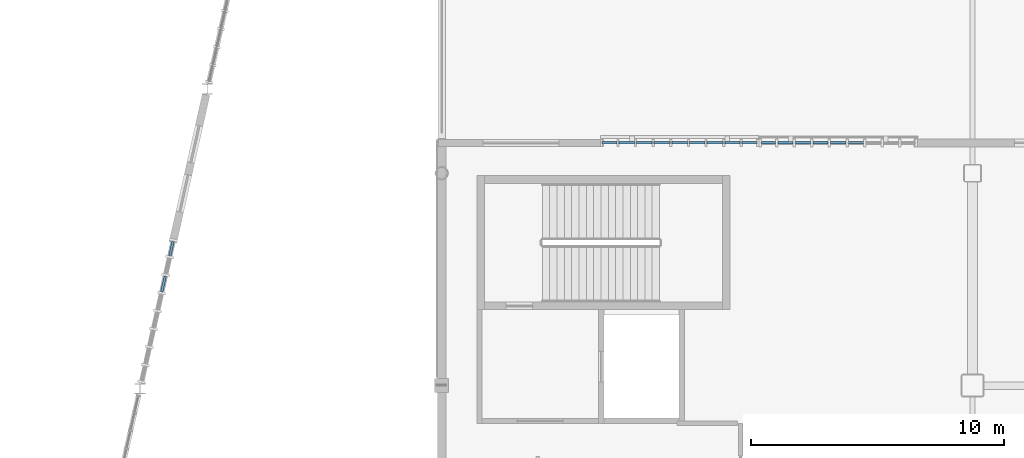
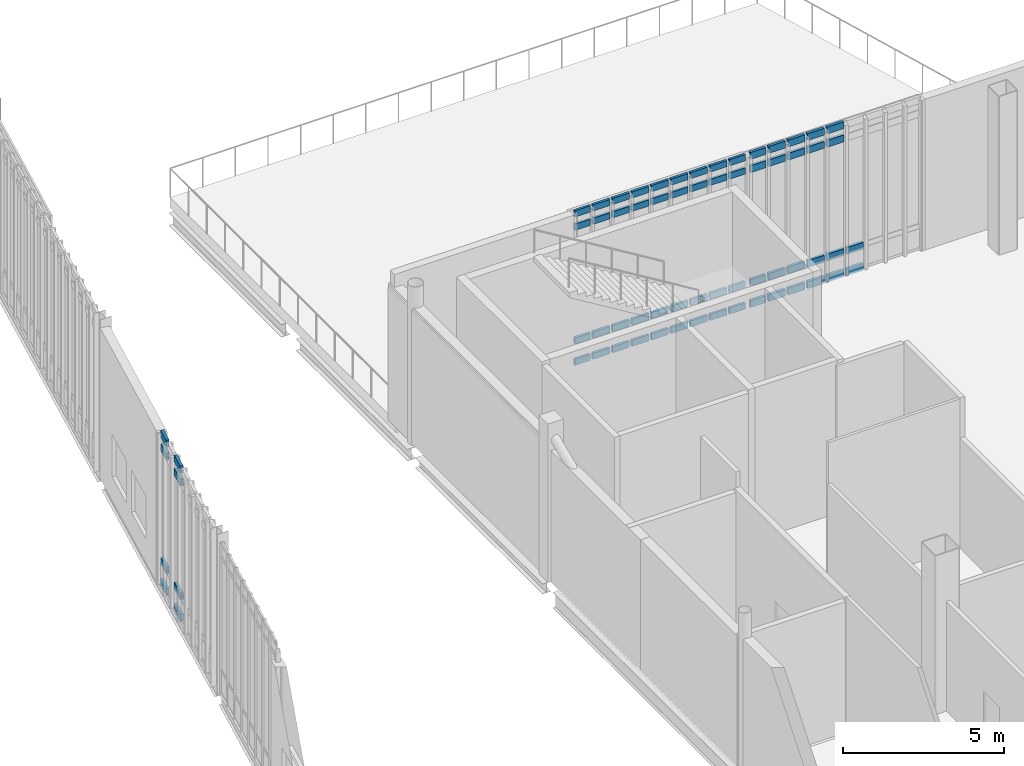
# One storey, part 58 of 135: 66 members, 3 elements without a shape of their own.
"""IFC4 building model written with IfcOpenShell, lengths in metres."""

from ifc_helpers import new_model, si_unit, direction, frame, origin, origin_2d, place, context, subcontext, project, spatial, rectangle, extrude, material, material_profile, profile_set, type_object, element, aggregate, save


model = new_model("IFC4")

# Units and contexts
model_context = context("Model", 3, precision=1e-05, world=origin(), true_north=direction((0.0, 1.0)))
body_context = subcontext(model_context, "Body", "Model", "MODEL_VIEW")
ifc_project = project(units=[si_unit("LENGTHUNIT", "METRE"), si_unit("AREAUNIT", "SQUARE_METRE"), si_unit("VOLUMEUNIT", "CUBIC_METRE"), si_unit("PLANEANGLEUNIT", "RADIAN"), si_unit("MASSUNIT", "GRAM", prefix="KILO")], contexts=[model_context])

# Site, building, storey
site_placement = place(None, origin())
site = spatial("IfcSite", under=ifc_project, at=site_placement, CompositionType="ELEMENT")
building_placement = place(site_placement, origin())
building = spatial("IfcBuilding", under=site, at=building_placement, Name="Larkvane Passage Sports Hall", CompositionType="ELEMENT")
storey_placement = place(building_placement, frame((0.0, 0.0, 10.800048828125)))
storey = spatial("IfcBuildingStorey", under=building, at=storey_placement, Name="L02", CompositionType="ELEMENT", Elevation=10.800048828125)

# Curtain wall, members
ifc_material_1 = material(Name="Thermally broken aluminium and low-E glazing", Category="aluminium")
curtain_wall_type_1 = type_object("IfcCurtainWallType", Name="CW-CLINIC", PredefinedType="USERDEFINED", material=ifc_material_1)
curtain_wall_1_placement = place(storey_placement, origin())
curtain_wall_1 = element("IfcCurtainWall", 1, at=curtain_wall_1_placement, inside=storey, type_object=curtain_wall_type_1, Name="Curtain wall CW5-L02-067", ObjectType="UNITISED CURTAIN WALL", PredefinedType="USERDEFINED")
ifc_material_2 = material(Name="Anodised aluminium 6063-T6", Category="aluminium")
ifc_material_profile_1 = material_profile(ifc_material_2, rectangle(XDim=0.10009765625, YDim=0.260009765625, at=origin_2d()), Name="ALU-TRN-100x260")
ifc_profile_set_1 = profile_set([ifc_material_profile_1], Name="Anodised aluminium 6063-T6")
member_type_1 = type_object("IfcMemberType", Name="CW-TRN-100x260", PredefinedType="USERDEFINED", material=ifc_profile_set_1)
member_1_placement = place(storey_placement, frame((137.25, 85.199951171875, 0.050048828125), z_axis=(1.0, 0.0, 0.0), x_axis=(0.0, 1.0, 0.0)))
member_1 = element("IfcMember", 2, at=member_1_placement, type_object=member_type_1, Name="CW-05 transom 1.1", ObjectType="TRANSOM", PredefinedType="USERDEFINED", context=body_context, shape_type="SweptSolid", body=[
    extrude(rectangle(XDim=0.10009765625, YDim=0.260009765625, at=origin_2d()), origin(), (0.0, 0.0, 1.0), 0.547119140625),
])
member_2_placement = place(storey_placement, frame((137.25, 85.199951171875, 0.849853515625), z_axis=(1.0, 0.0, 0.0), x_axis=(0.0, 1.0, 0.0)))
member_2 = element("IfcMember", 3, at=member_2_placement, type_object=member_type_1, Name="CW-05 transom 1.2", ObjectType="TRANSOM", PredefinedType="USERDEFINED", context=body_context, shape_type="SweptSolid", body=[
    extrude(rectangle(XDim=0.10009765625, YDim=0.260009765625, at=origin_2d()), origin(), (0.0, 0.0, 1.0), 0.547119140625),
])
member_3_placement = place(storey_placement, frame((137.25, 85.199951171875, 5.14990234375), z_axis=(1.0, 0.0, 0.0), x_axis=(0.0, 1.0, 0.0)))
member_3 = element("IfcMember", 4, at=member_3_placement, type_object=member_type_1, Name="CW-05 transom 1.3", ObjectType="TRANSOM", PredefinedType="USERDEFINED", context=body_context, shape_type="SweptSolid", body=[
    extrude(rectangle(XDim=0.10009765625, YDim=0.260009765625, at=origin_2d()), origin(), (0.0, 0.0, 1.0), 0.547119140625),
])
member_4_placement = place(storey_placement, frame((137.25, 85.199951171875, 5.64990234375), z_axis=(1.0, 0.0, 0.0), x_axis=(0.0, 1.0, 0.0)))
member_4 = element("IfcMember", 5, at=member_4_placement, type_object=member_type_1, Name="CW-05 transom 1.4", ObjectType="TRANSOM", PredefinedType="USERDEFINED", context=body_context, shape_type="SweptSolid", body=[
    extrude(rectangle(XDim=0.10009765625, YDim=0.260009765625, at=origin_2d()), origin(), (0.0, 0.0, 1.0), 0.547119140625),
])
member_5_placement = place(storey_placement, frame((137.897216796875, 85.199951171875, 0.050048828125), z_axis=(1.0, 0.0, 0.0), x_axis=(0.0, 1.0, 0.0)))
member_5 = element("IfcMember", 6, at=member_5_placement, type_object=member_type_1, Name="CW-05 transom 2.1", ObjectType="TRANSOM", PredefinedType="USERDEFINED", context=body_context, shape_type="SweptSolid", body=[
    extrude(rectangle(XDim=0.10009765625, YDim=0.260009765625, at=origin_2d()), origin(), (0.0, 0.0, 1.0), 0.59716796875),
])
member_6_placement = place(storey_placement, frame((137.897216796875, 85.199951171875, 0.849853515625), z_axis=(1.0, 0.0, 0.0), x_axis=(0.0, 1.0, 0.0)))
member_6 = element("IfcMember", 7, at=member_6_placement, type_object=member_type_1, Name="CW-05 transom 2.2", ObjectType="TRANSOM", PredefinedType="USERDEFINED", context=body_context, shape_type="SweptSolid", body=[
    extrude(rectangle(XDim=0.10009765625, YDim=0.260009765625, at=origin_2d()), origin(), (0.0, 0.0, 1.0), 0.59716796875),
])
member_7_placement = place(storey_placement, frame((137.897216796875, 85.199951171875, 5.14990234375), z_axis=(1.0, 0.0, 0.0), x_axis=(0.0, 1.0, 0.0)))
member_7 = element("IfcMember", 8, at=member_7_placement, type_object=member_type_1, Name="CW-05 transom 2.3", ObjectType="TRANSOM", PredefinedType="USERDEFINED", context=body_context, shape_type="SweptSolid", body=[
    extrude(rectangle(XDim=0.10009765625, YDim=0.260009765625, at=origin_2d()), origin(), (0.0, 0.0, 1.0), 0.59716796875),
])
member_8_placement = place(storey_placement, frame((137.897216796875, 85.199951171875, 5.64990234375), z_axis=(1.0, 0.0, 0.0), x_axis=(0.0, 1.0, 0.0)))
member_8 = element("IfcMember", 9, at=member_8_placement, type_object=member_type_1, Name="CW-05 transom 2.4", ObjectType="TRANSOM", PredefinedType="USERDEFINED", context=body_context, shape_type="SweptSolid", body=[
    extrude(rectangle(XDim=0.10009765625, YDim=0.260009765625, at=origin_2d()), origin(), (0.0, 0.0, 1.0), 0.59716796875),
])
member_9_placement = place(storey_placement, frame((138.594482421875, 85.199951171875, 0.050048828125), z_axis=(1.0, 0.0, 0.0), x_axis=(0.0, 1.0, 0.0)))
member_9 = element("IfcMember", 10, at=member_9_placement, type_object=member_type_1, Name="CW-05 transom 3.1", ObjectType="TRANSOM", PredefinedType="USERDEFINED", context=body_context, shape_type="SweptSolid", body=[
    extrude(rectangle(XDim=0.10009765625, YDim=0.260009765625, at=origin_2d()), origin(), (0.0, 0.0, 1.0), 0.59716796875),
])
member_10_placement = place(storey_placement, frame((138.594482421875, 85.199951171875, 0.849853515625), z_axis=(1.0, 0.0, 0.0), x_axis=(0.0, 1.0, 0.0)))
member_10 = element("IfcMember", 11, at=member_10_placement, type_object=member_type_1, Name="CW-05 transom 3.2", ObjectType="TRANSOM", PredefinedType="USERDEFINED", context=body_context, shape_type="SweptSolid", body=[
    extrude(rectangle(XDim=0.10009765625, YDim=0.260009765625, at=origin_2d()), origin(), (0.0, 0.0, 1.0), 0.59716796875),
])
member_11_placement = place(storey_placement, frame((138.594482421875, 85.199951171875, 5.14990234375), z_axis=(1.0, 0.0, 0.0), x_axis=(0.0, 1.0, 0.0)))
member_11 = element("IfcMember", 12, at=member_11_placement, type_object=member_type_1, Name="CW-05 transom 3.3", ObjectType="TRANSOM", PredefinedType="USERDEFINED", context=body_context, shape_type="SweptSolid", body=[
    extrude(rectangle(XDim=0.10009765625, YDim=0.260009765625, at=origin_2d()), origin(), (0.0, 0.0, 1.0), 0.59716796875),
])
member_12_placement = place(storey_placement, frame((138.594482421875, 85.199951171875, 5.64990234375), z_axis=(1.0, 0.0, 0.0), x_axis=(0.0, 1.0, 0.0)))
member_12 = element("IfcMember", 13, at=member_12_placement, type_object=member_type_1, Name="CW-05 transom 3.4", ObjectType="TRANSOM", PredefinedType="USERDEFINED", context=body_context, shape_type="SweptSolid", body=[
    extrude(rectangle(XDim=0.10009765625, YDim=0.260009765625, at=origin_2d()), origin(), (0.0, 0.0, 1.0), 0.59716796875),
])
member_13_placement = place(storey_placement, frame((139.291748046875, 85.199951171875, 0.050048828125), z_axis=(1.0, 0.0, 0.0), x_axis=(0.0, 1.0, 0.0)))
member_13 = element("IfcMember", 14, at=member_13_placement, type_object=member_type_1, Name="CW-05 transom 4.1", ObjectType="TRANSOM", PredefinedType="USERDEFINED", context=body_context, shape_type="SweptSolid", body=[
    extrude(rectangle(XDim=0.10009765625, YDim=0.260009765625, at=origin_2d()), origin(), (0.0, 0.0, 1.0), 0.59716796875),
])
member_14_placement = place(storey_placement, frame((139.291748046875, 85.199951171875, 0.849853515625), z_axis=(1.0, 0.0, 0.0), x_axis=(0.0, 1.0, 0.0)))
member_14 = element("IfcMember", 15, at=member_14_placement, type_object=member_type_1, Name="CW-05 transom 4.2", ObjectType="TRANSOM", PredefinedType="USERDEFINED", context=body_context, shape_type="SweptSolid", body=[
    extrude(rectangle(XDim=0.10009765625, YDim=0.260009765625, at=origin_2d()), origin(), (0.0, 0.0, 1.0), 0.59716796875),
])
member_15_placement = place(storey_placement, frame((139.291748046875, 85.199951171875, 5.14990234375), z_axis=(1.0, 0.0, 0.0), x_axis=(0.0, 1.0, 0.0)))
member_15 = element("IfcMember", 16, at=member_15_placement, type_object=member_type_1, Name="CW-05 transom 4.3", ObjectType="TRANSOM", PredefinedType="USERDEFINED", context=body_context, shape_type="SweptSolid", body=[
    extrude(rectangle(XDim=0.10009765625, YDim=0.260009765625, at=origin_2d()), origin(), (0.0, 0.0, 1.0), 0.59716796875),
])
member_16_placement = place(storey_placement, frame((139.291748046875, 85.199951171875, 5.64990234375), z_axis=(1.0, 0.0, 0.0), x_axis=(0.0, 1.0, 0.0)))
member_16 = element("IfcMember", 17, at=member_16_placement, type_object=member_type_1, Name="CW-05 transom 4.4", ObjectType="TRANSOM", PredefinedType="USERDEFINED", context=body_context, shape_type="SweptSolid", body=[
    extrude(rectangle(XDim=0.10009765625, YDim=0.260009765625, at=origin_2d()), origin(), (0.0, 0.0, 1.0), 0.59716796875),
])
member_17_placement = place(storey_placement, frame((139.98876953125, 85.199951171875, 0.050048828125), z_axis=(1.0, 0.0, 0.0), x_axis=(0.0, 1.0, 0.0)))
member_17 = element("IfcMember", 18, at=member_17_placement, type_object=member_type_1, Name="CW-05 transom 5.1", ObjectType="TRANSOM", PredefinedType="USERDEFINED", context=body_context, shape_type="SweptSolid", body=[
    extrude(rectangle(XDim=0.10009765625, YDim=0.260009765625, at=origin_2d()), origin(), (0.0, 0.0, 1.0), 0.597412109375),
])
member_18_placement = place(storey_placement, frame((139.98876953125, 85.199951171875, 0.849853515625), z_axis=(1.0, 0.0, 0.0), x_axis=(0.0, 1.0, 0.0)))
member_18 = element("IfcMember", 19, at=member_18_placement, type_object=member_type_1, Name="CW-05 transom 5.2", ObjectType="TRANSOM", PredefinedType="USERDEFINED", context=body_context, shape_type="SweptSolid", body=[
    extrude(rectangle(XDim=0.10009765625, YDim=0.260009765625, at=origin_2d()), origin(), (0.0, 0.0, 1.0), 0.597412109375),
])
member_19_placement = place(storey_placement, frame((139.98876953125, 85.199951171875, 5.14990234375), z_axis=(1.0, 0.0, 0.0), x_axis=(0.0, 1.0, 0.0)))
member_19 = element("IfcMember", 20, at=member_19_placement, type_object=member_type_1, Name="CW-05 transom 5.3", ObjectType="TRANSOM", PredefinedType="USERDEFINED", context=body_context, shape_type="SweptSolid", body=[
    extrude(rectangle(XDim=0.10009765625, YDim=0.260009765625, at=origin_2d()), origin(), (0.0, 0.0, 1.0), 0.597412109375),
])
member_20_placement = place(storey_placement, frame((139.98876953125, 85.199951171875, 5.64990234375), z_axis=(1.0, 0.0, 0.0), x_axis=(0.0, 1.0, 0.0)))
member_20 = element("IfcMember", 21, at=member_20_placement, type_object=member_type_1, Name="CW-05 transom 5.4", ObjectType="TRANSOM", PredefinedType="USERDEFINED", context=body_context, shape_type="SweptSolid", body=[
    extrude(rectangle(XDim=0.10009765625, YDim=0.260009765625, at=origin_2d()), origin(), (0.0, 0.0, 1.0), 0.597412109375),
])
member_21_placement = place(storey_placement, frame((140.68603515625, 85.199951171875, 0.050048828125), z_axis=(1.0, 0.0, 0.0), x_axis=(0.0, 1.0, 0.0)))
member_21 = element("IfcMember", 22, at=member_21_placement, type_object=member_type_1, Name="CW-05 transom 6.1", ObjectType="TRANSOM", PredefinedType="USERDEFINED", context=body_context, shape_type="SweptSolid", body=[
    extrude(rectangle(XDim=0.10009765625, YDim=0.260009765625, at=origin_2d()), origin(), (0.0, 0.0, 1.0), 0.597412109375),
])
member_22_placement = place(storey_placement, frame((140.68603515625, 85.199951171875, 0.849853515625), z_axis=(1.0, 0.0, 0.0), x_axis=(0.0, 1.0, 0.0)))
member_22 = element("IfcMember", 23, at=member_22_placement, type_object=member_type_1, Name="CW-05 transom 6.2", ObjectType="TRANSOM", PredefinedType="USERDEFINED", context=body_context, shape_type="SweptSolid", body=[
    extrude(rectangle(XDim=0.10009765625, YDim=0.260009765625, at=origin_2d()), origin(), (0.0, 0.0, 1.0), 0.597412109375),
])
aggregate(curtain_wall_1, [member_1, member_2, member_3, member_4, member_5, member_6, member_7, member_8, member_9, member_10, member_11, member_12, member_13, member_14, member_15, member_16, member_17, member_18, member_19, member_20, member_21, member_22])

curtain_wall_2_placement = place(storey_placement, origin())
curtain_wall_2 = element("IfcCurtainWall", 24, at=curtain_wall_2_placement, inside=storey, type_object=curtain_wall_type_1, Name="Curtain wall CW5-L02-083", ObjectType="UNITISED CURTAIN WALL", PredefinedType="USERDEFINED")
member_23_placement = place(storey_placement, frame((113.97802734375, 81.302490234375, 0.050048828125), z_axis=(-0.219201827819, -0.975679536877, 0.0), x_axis=(0.975679536877, -0.219201827819, 0.0)))
member_23 = element("IfcMember", 25, at=member_23_placement, type_object=member_type_1, Name="CW-05 transom 1.1", ObjectType="TRANSOM", PredefinedType="USERDEFINED", context=body_context, shape_type="SweptSolid", body=[
    extrude(rectangle(XDim=0.10009765625, YDim=0.260009765625, at=origin_2d()), origin(), (0.0, 0.0, 1.0), 0.580322265625),
])
member_24_placement = place(storey_placement, frame((113.97802734375, 81.302490234375, 0.849853515625), z_axis=(-0.219201827819, -0.975679536877, 0.0), x_axis=(0.975679536877, -0.219201827819, 0.0)))
member_24 = element("IfcMember", 26, at=member_24_placement, type_object=member_type_1, Name="CW-05 transom 1.2", ObjectType="TRANSOM", PredefinedType="USERDEFINED", context=body_context, shape_type="SweptSolid", body=[
    extrude(rectangle(XDim=0.10009765625, YDim=0.260009765625, at=origin_2d()), origin(), (0.0, 0.0, 1.0), 0.580322265625),
])
member_25_placement = place(storey_placement, frame((113.97802734375, 81.302490234375, 5.14990234375), z_axis=(-0.219201827819, -0.975679536877, 0.0), x_axis=(0.975679536877, -0.219201827819, 0.0)))
member_25 = element("IfcMember", 27, at=member_25_placement, type_object=member_type_1, Name="CW-05 transom 1.3", ObjectType="TRANSOM", PredefinedType="USERDEFINED", context=body_context, shape_type="SweptSolid", body=[
    extrude(rectangle(XDim=0.10009765625, YDim=0.260009765625, at=origin_2d()), origin(), (0.0, 0.0, 1.0), 0.580322265625),
])
member_26_placement = place(storey_placement, frame((113.97802734375, 81.302490234375, 5.64990234375), z_axis=(-0.219201827819, -0.975679536877, 0.0), x_axis=(0.975679536877, -0.219201827819, 0.0)))
member_26 = element("IfcMember", 28, at=member_26_placement, type_object=member_type_1, Name="CW-05 transom 1.4", ObjectType="TRANSOM", PredefinedType="USERDEFINED", context=body_context, shape_type="SweptSolid", body=[
    extrude(rectangle(XDim=0.10009765625, YDim=0.260009765625, at=origin_2d()), origin(), (0.0, 0.0, 1.0), 0.580322265625),
])
member_27_placement = place(storey_placement, frame((113.668701171875, 79.92626953125, 0.050048828125), z_axis=(-0.219226472357, -0.975673999765, 0.0), x_axis=(0.975673999765, -0.219226472357, 0.0)))
member_27 = element("IfcMember", 29, at=member_27_placement, type_object=member_type_1, Name="CW-05 transom 3.1", ObjectType="TRANSOM", PredefinedType="USERDEFINED", context=body_context, shape_type="SweptSolid", body=[
    extrude(rectangle(XDim=0.10009765625, YDim=0.260009765625, at=origin_2d()), origin(), (0.0, 0.0, 1.0), 0.63037109375),
])
member_28_placement = place(storey_placement, frame((113.668701171875, 79.92626953125, 0.849853515625), z_axis=(-0.219226472357, -0.975673999765, 0.0), x_axis=(0.975673999765, -0.219226472357, 0.0)))
member_28 = element("IfcMember", 30, at=member_28_placement, type_object=member_type_1, Name="CW-05 transom 3.2", ObjectType="TRANSOM", PredefinedType="USERDEFINED", context=body_context, shape_type="SweptSolid", body=[
    extrude(rectangle(XDim=0.10009765625, YDim=0.260009765625, at=origin_2d()), origin(), (0.0, 0.0, 1.0), 0.63037109375),
])
member_29_placement = place(storey_placement, frame((113.668701171875, 79.92626953125, 5.14990234375), z_axis=(-0.219226472357, -0.975673999765, 0.0), x_axis=(0.975673999765, -0.219226472357, 0.0)))
member_29 = element("IfcMember", 31, at=member_29_placement, type_object=member_type_1, Name="CW-05 transom 3.3", ObjectType="TRANSOM", PredefinedType="USERDEFINED", context=body_context, shape_type="SweptSolid", body=[
    extrude(rectangle(XDim=0.10009765625, YDim=0.260009765625, at=origin_2d()), origin(), (0.0, 0.0, 1.0), 0.63037109375),
])
member_30_placement = place(storey_placement, frame((113.668701171875, 79.92626953125, 5.64990234375), z_axis=(-0.219226472357, -0.975673999765, 0.0), x_axis=(0.975673999765, -0.219226472357, 0.0)))
member_30 = element("IfcMember", 32, at=member_30_placement, type_object=member_type_1, Name="CW-05 transom 3.4", ObjectType="TRANSOM", PredefinedType="USERDEFINED", context=body_context, shape_type="SweptSolid", body=[
    extrude(rectangle(XDim=0.10009765625, YDim=0.260009765625, at=origin_2d()), origin(), (0.0, 0.0, 1.0), 0.63037109375),
])
aggregate(curtain_wall_2, [member_23, member_24, member_25, member_26, member_27, member_28, member_29, member_30])

curtain_wall_type_2 = type_object("IfcCurtainWallType", Name="CW-STICK-FOYER", PredefinedType="USERDEFINED", material=ifc_material_1)
curtain_wall_3_placement = place(storey_placement, origin())
curtain_wall_3 = element("IfcCurtainWall", 33, at=curtain_wall_3_placement, inside=storey, type_object=curtain_wall_type_2, Name="Curtain wall CW5-L02-066", ObjectType="STICK CURTAIN WALL", PredefinedType="USERDEFINED")
ifc_material_profile_2 = material_profile(ifc_material_2, rectangle(XDim=0.090087890625, YDim=0.235107421875, at=origin_2d()), Name="ALU-TRN-90x235")
ifc_profile_set_2 = profile_set([ifc_material_profile_2], Name="Anodised aluminium 6063-T6")
member_type_2 = type_object("IfcMemberType", Name="CW-TRN-90x235", PredefinedType="USERDEFINED", material=ifc_profile_set_2)
member_31_placement = place(storey_placement, frame((130.965087890625, 85.199951171875, 0.044921875), z_axis=(1.0, 0.0, 0.0), x_axis=(0.0, 1.0, 0.0)))
member_31 = element("IfcMember", 34, at=member_31_placement, type_object=member_type_2, Name="CW-03 transom 1.1", ObjectType="TRANSOM", PredefinedType="USERDEFINED", context=body_context, shape_type="SweptSolid", body=[
    extrude(rectangle(XDim=0.090087890625, YDim=0.235107421875, at=origin_2d()), origin(), (0.0, 0.0, 1.0), 0.562255859375),
])
member_32_placement = place(storey_placement, frame((130.965087890625, 85.199951171875, 0.849853515625), z_axis=(1.0, 0.0, 0.0), x_axis=(0.0, 1.0, 0.0)))
member_32 = element("IfcMember", 35, at=member_32_placement, type_object=member_type_2, Name="CW-03 transom 1.2", ObjectType="TRANSOM", PredefinedType="USERDEFINED", context=body_context, shape_type="SweptSolid", body=[
    extrude(rectangle(XDim=0.090087890625, YDim=0.235107421875, at=origin_2d()), origin(), (0.0, 0.0, 1.0), 0.562255859375),
])
member_33_placement = place(storey_placement, frame((130.965087890625, 85.199951171875, 5.14990234375), z_axis=(1.0, 0.0, 0.0), x_axis=(0.0, 1.0, 0.0)))
member_33 = element("IfcMember", 36, at=member_33_placement, type_object=member_type_2, Name="CW-03 transom 1.3", ObjectType="TRANSOM", PredefinedType="USERDEFINED", context=body_context, shape_type="SweptSolid", body=[
    extrude(rectangle(XDim=0.090087890625, YDim=0.235107421875, at=origin_2d()), origin(), (0.0, 0.0, 1.0), 0.562255859375),
])
member_34_placement = place(storey_placement, frame((130.965087890625, 85.199951171875, 5.655029296875), z_axis=(1.0, 0.0, 0.0), x_axis=(0.0, 1.0, 0.0)))
member_34 = element("IfcMember", 37, at=member_34_placement, type_object=member_type_2, Name="CW-03 transom 1.4", ObjectType="TRANSOM", PredefinedType="USERDEFINED", context=body_context, shape_type="SweptSolid", body=[
    extrude(rectangle(XDim=0.090087890625, YDim=0.235107421875, at=origin_2d()), origin(), (0.0, 0.0, 1.0), 0.562255859375),
])
member_35_placement = place(storey_placement, frame((131.6171875, 85.199951171875, 0.044921875), z_axis=(1.0, 0.0, 0.0), x_axis=(0.0, 1.0, 0.0)))
member_35 = element("IfcMember", 38, at=member_35_placement, type_object=member_type_2, Name="CW-03 transom 2.1", ObjectType="TRANSOM", PredefinedType="USERDEFINED", context=body_context, shape_type="SweptSolid", body=[
    extrude(rectangle(XDim=0.090087890625, YDim=0.235107421875, at=origin_2d()), origin(), (0.0, 0.0, 1.0), 0.607177734375),
])
member_36_placement = place(storey_placement, frame((131.6171875, 85.199951171875, 0.849853515625), z_axis=(1.0, 0.0, 0.0), x_axis=(0.0, 1.0, 0.0)))
member_36 = element("IfcMember", 39, at=member_36_placement, type_object=member_type_2, Name="CW-03 transom 2.2", ObjectType="TRANSOM", PredefinedType="USERDEFINED", context=body_context, shape_type="SweptSolid", body=[
    extrude(rectangle(XDim=0.090087890625, YDim=0.235107421875, at=origin_2d()), origin(), (0.0, 0.0, 1.0), 0.607177734375),
])
member_37_placement = place(storey_placement, frame((131.6171875, 85.199951171875, 5.14990234375), z_axis=(1.0, 0.0, 0.0), x_axis=(0.0, 1.0, 0.0)))
member_37 = element("IfcMember", 40, at=member_37_placement, type_object=member_type_2, Name="CW-03 transom 2.3", ObjectType="TRANSOM", PredefinedType="USERDEFINED", context=body_context, shape_type="SweptSolid", body=[
    extrude(rectangle(XDim=0.090087890625, YDim=0.235107421875, at=origin_2d()), origin(), (0.0, 0.0, 1.0), 0.607177734375),
])
member_38_placement = place(storey_placement, frame((131.6171875, 85.199951171875, 5.655029296875), z_axis=(1.0, 0.0, 0.0), x_axis=(0.0, 1.0, 0.0)))
member_38 = element("IfcMember", 41, at=member_38_placement, type_object=member_type_2, Name="CW-03 transom 2.4", ObjectType="TRANSOM", PredefinedType="USERDEFINED", context=body_context, shape_type="SweptSolid", body=[
    extrude(rectangle(XDim=0.090087890625, YDim=0.235107421875, at=origin_2d()), origin(), (0.0, 0.0, 1.0), 0.607177734375),
])
member_39_placement = place(storey_placement, frame((132.314453125, 85.199951171875, 0.044921875), z_axis=(1.0, 0.0, 0.0), x_axis=(0.0, 1.0, 0.0)))
member_39 = element("IfcMember", 42, at=member_39_placement, type_object=member_type_2, Name="CW-03 transom 3.1", ObjectType="TRANSOM", PredefinedType="USERDEFINED", context=body_context, shape_type="SweptSolid", body=[
    extrude(rectangle(XDim=0.090087890625, YDim=0.235107421875, at=origin_2d()), origin(), (0.0, 0.0, 1.0), 0.607177734375),
])
member_40_placement = place(storey_placement, frame((132.314453125, 85.199951171875, 0.849853515625), z_axis=(1.0, 0.0, 0.0), x_axis=(0.0, 1.0, 0.0)))
member_40 = element("IfcMember", 43, at=member_40_placement, type_object=member_type_2, Name="CW-03 transom 3.2", ObjectType="TRANSOM", PredefinedType="USERDEFINED", context=body_context, shape_type="SweptSolid", body=[
    extrude(rectangle(XDim=0.090087890625, YDim=0.235107421875, at=origin_2d()), origin(), (0.0, 0.0, 1.0), 0.607177734375),
])
member_41_placement = place(storey_placement, frame((132.314453125, 85.199951171875, 5.14990234375), z_axis=(1.0, 0.0, 0.0), x_axis=(0.0, 1.0, 0.0)))
member_41 = element("IfcMember", 44, at=member_41_placement, type_object=member_type_2, Name="CW-03 transom 3.3", ObjectType="TRANSOM", PredefinedType="USERDEFINED", context=body_context, shape_type="SweptSolid", body=[
    extrude(rectangle(XDim=0.090087890625, YDim=0.235107421875, at=origin_2d()), origin(), (0.0, 0.0, 1.0), 0.607177734375),
])
member_42_placement = place(storey_placement, frame((132.314453125, 85.199951171875, 5.655029296875), z_axis=(1.0, 0.0, 0.0), x_axis=(0.0, 1.0, 0.0)))
member_42 = element("IfcMember", 45, at=member_42_placement, type_object=member_type_2, Name="CW-03 transom 3.4", ObjectType="TRANSOM", PredefinedType="USERDEFINED", context=body_context, shape_type="SweptSolid", body=[
    extrude(rectangle(XDim=0.090087890625, YDim=0.235107421875, at=origin_2d()), origin(), (0.0, 0.0, 1.0), 0.607177734375),
])
member_43_placement = place(storey_placement, frame((133.01171875, 85.199951171875, 0.044921875), z_axis=(1.0, 0.0, 0.0), x_axis=(0.0, 1.0, 0.0)))
member_43 = element("IfcMember", 46, at=member_43_placement, type_object=member_type_2, Name="CW-03 transom 4.1", ObjectType="TRANSOM", PredefinedType="USERDEFINED", context=body_context, shape_type="SweptSolid", body=[
    extrude(rectangle(XDim=0.090087890625, YDim=0.235107421875, at=origin_2d()), origin(), (0.0, 0.0, 1.0), 0.607177734375),
])
member_44_placement = place(storey_placement, frame((133.01171875, 85.199951171875, 0.849853515625), z_axis=(1.0, 0.0, 0.0), x_axis=(0.0, 1.0, 0.0)))
member_44 = element("IfcMember", 47, at=member_44_placement, type_object=member_type_2, Name="CW-03 transom 4.2", ObjectType="TRANSOM", PredefinedType="USERDEFINED", context=body_context, shape_type="SweptSolid", body=[
    extrude(rectangle(XDim=0.090087890625, YDim=0.235107421875, at=origin_2d()), origin(), (0.0, 0.0, 1.0), 0.607177734375),
])
member_45_placement = place(storey_placement, frame((133.01171875, 85.199951171875, 5.14990234375), z_axis=(1.0, 0.0, 0.0), x_axis=(0.0, 1.0, 0.0)))
member_45 = element("IfcMember", 48, at=member_45_placement, type_object=member_type_2, Name="CW-03 transom 4.3", ObjectType="TRANSOM", PredefinedType="USERDEFINED", context=body_context, shape_type="SweptSolid", body=[
    extrude(rectangle(XDim=0.090087890625, YDim=0.235107421875, at=origin_2d()), origin(), (0.0, 0.0, 1.0), 0.607177734375),
])
member_46_placement = place(storey_placement, frame((133.01171875, 85.199951171875, 5.655029296875), z_axis=(1.0, 0.0, 0.0), x_axis=(0.0, 1.0, 0.0)))
member_46 = element("IfcMember", 49, at=member_46_placement, type_object=member_type_2, Name="CW-03 transom 4.4", ObjectType="TRANSOM", PredefinedType="USERDEFINED", context=body_context, shape_type="SweptSolid", body=[
    extrude(rectangle(XDim=0.090087890625, YDim=0.235107421875, at=origin_2d()), origin(), (0.0, 0.0, 1.0), 0.607177734375),
])
member_47_placement = place(storey_placement, frame((133.708984375, 85.199951171875, 0.044921875), z_axis=(1.0, 0.0, 0.0), x_axis=(0.0, 1.0, 0.0)))
member_47 = element("IfcMember", 50, at=member_47_placement, type_object=member_type_2, Name="CW-03 transom 5.1", ObjectType="TRANSOM", PredefinedType="USERDEFINED", context=body_context, shape_type="SweptSolid", body=[
    extrude(rectangle(XDim=0.090087890625, YDim=0.235107421875, at=origin_2d()), origin(), (0.0, 0.0, 1.0), 0.607177734375),
])
member_48_placement = place(storey_placement, frame((133.708984375, 85.199951171875, 0.849853515625), z_axis=(1.0, 0.0, 0.0), x_axis=(0.0, 1.0, 0.0)))
member_48 = element("IfcMember", 51, at=member_48_placement, type_object=member_type_2, Name="CW-03 transom 5.2", ObjectType="TRANSOM", PredefinedType="USERDEFINED", context=body_context, shape_type="SweptSolid", body=[
    extrude(rectangle(XDim=0.090087890625, YDim=0.235107421875, at=origin_2d()), origin(), (0.0, 0.0, 1.0), 0.607177734375),
])
member_49_placement = place(storey_placement, frame((133.708984375, 85.199951171875, 5.14990234375), z_axis=(1.0, 0.0, 0.0), x_axis=(0.0, 1.0, 0.0)))
member_49 = element("IfcMember", 52, at=member_49_placement, type_object=member_type_2, Name="CW-03 transom 5.3", ObjectType="TRANSOM", PredefinedType="USERDEFINED", context=body_context, shape_type="SweptSolid", body=[
    extrude(rectangle(XDim=0.090087890625, YDim=0.235107421875, at=origin_2d()), origin(), (0.0, 0.0, 1.0), 0.607177734375),
])
member_50_placement = place(storey_placement, frame((133.708984375, 85.199951171875, 5.655029296875), z_axis=(1.0, 0.0, 0.0), x_axis=(0.0, 1.0, 0.0)))
member_50 = element("IfcMember", 53, at=member_50_placement, type_object=member_type_2, Name="CW-03 transom 5.4", ObjectType="TRANSOM", PredefinedType="USERDEFINED", context=body_context, shape_type="SweptSolid", body=[
    extrude(rectangle(XDim=0.090087890625, YDim=0.235107421875, at=origin_2d()), origin(), (0.0, 0.0, 1.0), 0.607177734375),
])
member_51_placement = place(storey_placement, frame((134.406005859375, 85.199951171875, 0.044921875), z_axis=(1.0, 0.0, 0.0), x_axis=(0.0, 1.0, 0.0)))
member_51 = element("IfcMember", 54, at=member_51_placement, type_object=member_type_2, Name="CW-03 transom 6.1", ObjectType="TRANSOM", PredefinedType="USERDEFINED", context=body_context, shape_type="SweptSolid", body=[
    extrude(rectangle(XDim=0.090087890625, YDim=0.235107421875, at=origin_2d()), origin(), (0.0, 0.0, 1.0), 0.607421875),
])
member_52_placement = place(storey_placement, frame((134.406005859375, 85.199951171875, 0.849853515625), z_axis=(1.0, 0.0, 0.0), x_axis=(0.0, 1.0, 0.0)))
member_52 = element("IfcMember", 55, at=member_52_placement, type_object=member_type_2, Name="CW-03 transom 6.2", ObjectType="TRANSOM", PredefinedType="USERDEFINED", context=body_context, shape_type="SweptSolid", body=[
    extrude(rectangle(XDim=0.090087890625, YDim=0.235107421875, at=origin_2d()), origin(), (0.0, 0.0, 1.0), 0.607421875),
])
member_53_placement = place(storey_placement, frame((134.406005859375, 85.199951171875, 5.14990234375), z_axis=(1.0, 0.0, 0.0), x_axis=(0.0, 1.0, 0.0)))
member_53 = element("IfcMember", 56, at=member_53_placement, type_object=member_type_2, Name="CW-03 transom 6.3", ObjectType="TRANSOM", PredefinedType="USERDEFINED", context=body_context, shape_type="SweptSolid", body=[
    extrude(rectangle(XDim=0.090087890625, YDim=0.235107421875, at=origin_2d()), origin(), (0.0, 0.0, 1.0), 0.607421875),
])
member_54_placement = place(storey_placement, frame((134.406005859375, 85.199951171875, 5.655029296875), z_axis=(1.0, 0.0, 0.0), x_axis=(0.0, 1.0, 0.0)))
member_54 = element("IfcMember", 57, at=member_54_placement, type_object=member_type_2, Name="CW-03 transom 6.4", ObjectType="TRANSOM", PredefinedType="USERDEFINED", context=body_context, shape_type="SweptSolid", body=[
    extrude(rectangle(XDim=0.090087890625, YDim=0.235107421875, at=origin_2d()), origin(), (0.0, 0.0, 1.0), 0.607421875),
])
member_55_placement = place(storey_placement, frame((135.103271484375, 85.199951171875, 0.044921875), z_axis=(1.0, 0.0, 0.0), x_axis=(0.0, 1.0, 0.0)))
member_55 = element("IfcMember", 58, at=member_55_placement, type_object=member_type_2, Name="CW-03 transom 7.1", ObjectType="TRANSOM", PredefinedType="USERDEFINED", context=body_context, shape_type="SweptSolid", body=[
    extrude(rectangle(XDim=0.090087890625, YDim=0.235107421875, at=origin_2d()), origin(), (0.0, 0.0, 1.0), 0.607177734375),
])
member_56_placement = place(storey_placement, frame((135.103271484375, 85.199951171875, 0.849853515625), z_axis=(1.0, 0.0, 0.0), x_axis=(0.0, 1.0, 0.0)))
member_56 = element("IfcMember", 59, at=member_56_placement, type_object=member_type_2, Name="CW-03 transom 7.2", ObjectType="TRANSOM", PredefinedType="USERDEFINED", context=body_context, shape_type="SweptSolid", body=[
    extrude(rectangle(XDim=0.090087890625, YDim=0.235107421875, at=origin_2d()), origin(), (0.0, 0.0, 1.0), 0.607177734375),
])
member_57_placement = place(storey_placement, frame((135.103271484375, 85.199951171875, 5.14990234375), z_axis=(1.0, 0.0, 0.0), x_axis=(0.0, 1.0, 0.0)))
member_57 = element("IfcMember", 60, at=member_57_placement, type_object=member_type_2, Name="CW-03 transom 7.3", ObjectType="TRANSOM", PredefinedType="USERDEFINED", context=body_context, shape_type="SweptSolid", body=[
    extrude(rectangle(XDim=0.090087890625, YDim=0.235107421875, at=origin_2d()), origin(), (0.0, 0.0, 1.0), 0.607177734375),
])
member_58_placement = place(storey_placement, frame((135.103271484375, 85.199951171875, 5.655029296875), z_axis=(1.0, 0.0, 0.0), x_axis=(0.0, 1.0, 0.0)))
member_58 = element("IfcMember", 61, at=member_58_placement, type_object=member_type_2, Name="CW-03 transom 7.4", ObjectType="TRANSOM", PredefinedType="USERDEFINED", context=body_context, shape_type="SweptSolid", body=[
    extrude(rectangle(XDim=0.090087890625, YDim=0.235107421875, at=origin_2d()), origin(), (0.0, 0.0, 1.0), 0.607177734375),
])
member_59_placement = place(storey_placement, frame((135.800537109375, 85.199951171875, 0.044921875), z_axis=(1.0, 0.0, 0.0), x_axis=(0.0, 1.0, 0.0)))
member_59 = element("IfcMember", 62, at=member_59_placement, type_object=member_type_2, Name="CW-03 transom 8.1", ObjectType="TRANSOM", PredefinedType="USERDEFINED", context=body_context, shape_type="SweptSolid", body=[
    extrude(rectangle(XDim=0.090087890625, YDim=0.235107421875, at=origin_2d()), origin(), (0.0, 0.0, 1.0), 0.607177734375),
])
member_60_placement = place(storey_placement, frame((135.800537109375, 85.199951171875, 0.849853515625), z_axis=(1.0, 0.0, 0.0), x_axis=(0.0, 1.0, 0.0)))
member_60 = element("IfcMember", 63, at=member_60_placement, type_object=member_type_2, Name="CW-03 transom 8.2", ObjectType="TRANSOM", PredefinedType="USERDEFINED", context=body_context, shape_type="SweptSolid", body=[
    extrude(rectangle(XDim=0.090087890625, YDim=0.235107421875, at=origin_2d()), origin(), (0.0, 0.0, 1.0), 0.607177734375),
])
member_61_placement = place(storey_placement, frame((135.800537109375, 85.199951171875, 5.14990234375), z_axis=(1.0, 0.0, 0.0), x_axis=(0.0, 1.0, 0.0)))
member_61 = element("IfcMember", 64, at=member_61_placement, type_object=member_type_2, Name="CW-03 transom 8.3", ObjectType="TRANSOM", PredefinedType="USERDEFINED", context=body_context, shape_type="SweptSolid", body=[
    extrude(rectangle(XDim=0.090087890625, YDim=0.235107421875, at=origin_2d()), origin(), (0.0, 0.0, 1.0), 0.607177734375),
])
member_62_placement = place(storey_placement, frame((135.800537109375, 85.199951171875, 5.655029296875), z_axis=(1.0, 0.0, 0.0), x_axis=(0.0, 1.0, 0.0)))
member_62 = element("IfcMember", 65, at=member_62_placement, type_object=member_type_2, Name="CW-03 transom 8.4", ObjectType="TRANSOM", PredefinedType="USERDEFINED", context=body_context, shape_type="SweptSolid", body=[
    extrude(rectangle(XDim=0.090087890625, YDim=0.235107421875, at=origin_2d()), origin(), (0.0, 0.0, 1.0), 0.607177734375),
])
member_63_placement = place(storey_placement, frame((136.497802734375, 85.199951171875, 0.044921875), z_axis=(1.0, 0.0, 0.0), x_axis=(0.0, 1.0, 0.0)))
member_63 = element("IfcMember", 66, at=member_63_placement, type_object=member_type_2, Name="CW-03 transom 9.1", ObjectType="TRANSOM", PredefinedType="USERDEFINED", context=body_context, shape_type="SweptSolid", body=[
    extrude(rectangle(XDim=0.090087890625, YDim=0.235107421875, at=origin_2d()), origin(), (0.0, 0.0, 1.0), 0.562255859375),
])
member_64_placement = place(storey_placement, frame((136.497802734375, 85.199951171875, 0.849853515625), z_axis=(1.0, 0.0, 0.0), x_axis=(0.0, 1.0, 0.0)))
member_64 = element("IfcMember", 67, at=member_64_placement, type_object=member_type_2, Name="CW-03 transom 9.2", ObjectType="TRANSOM", PredefinedType="USERDEFINED", context=body_context, shape_type="SweptSolid", body=[
    extrude(rectangle(XDim=0.090087890625, YDim=0.235107421875, at=origin_2d()), origin(), (0.0, 0.0, 1.0), 0.562255859375),
])
member_65_placement = place(storey_placement, frame((136.497802734375, 85.199951171875, 5.14990234375), z_axis=(1.0, 0.0, 0.0), x_axis=(0.0, 1.0, 0.0)))
member_65 = element("IfcMember", 68, at=member_65_placement, type_object=member_type_2, Name="CW-03 transom 9.3", ObjectType="TRANSOM", PredefinedType="USERDEFINED", context=body_context, shape_type="SweptSolid", body=[
    extrude(rectangle(XDim=0.090087890625, YDim=0.235107421875, at=origin_2d()), origin(), (0.0, 0.0, 1.0), 0.562255859375),
])
member_66_placement = place(storey_placement, frame((136.497802734375, 85.199951171875, 5.655029296875), z_axis=(1.0, 0.0, 0.0), x_axis=(0.0, 1.0, 0.0)))
member_66 = element("IfcMember", 69, at=member_66_placement, type_object=member_type_2, Name="CW-03 transom 9.4", ObjectType="TRANSOM", PredefinedType="USERDEFINED", context=body_context, shape_type="SweptSolid", body=[
    extrude(rectangle(XDim=0.090087890625, YDim=0.235107421875, at=origin_2d()), origin(), (0.0, 0.0, 1.0), 0.562255859375),
])
aggregate(curtain_wall_3, [member_31, member_32, member_33, member_34, member_35, member_36, member_37, member_38, member_39, member_40, member_41, member_42, member_43, member_44, member_45, member_46, member_47, member_48, member_49, member_50, member_51, member_52, member_53, member_54, member_55, member_56, member_57, member_58, member_59, member_60, member_61, member_62, member_63, member_64, member_65, member_66])

save(model, "model.ifc")
